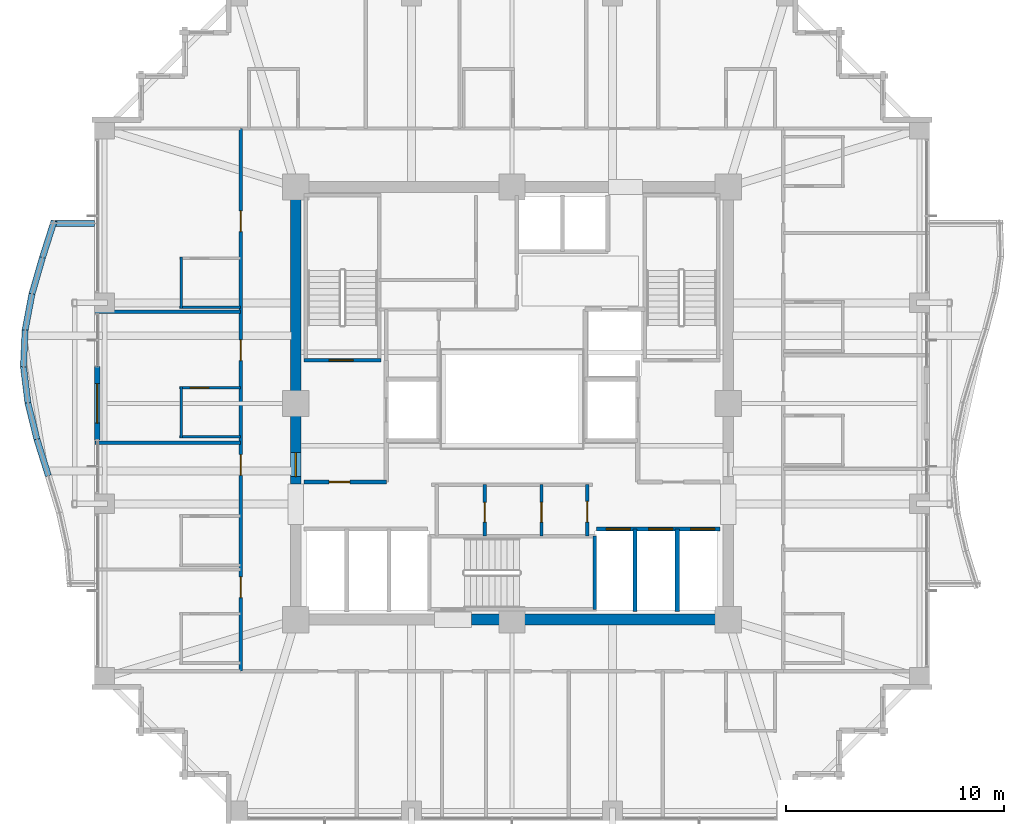
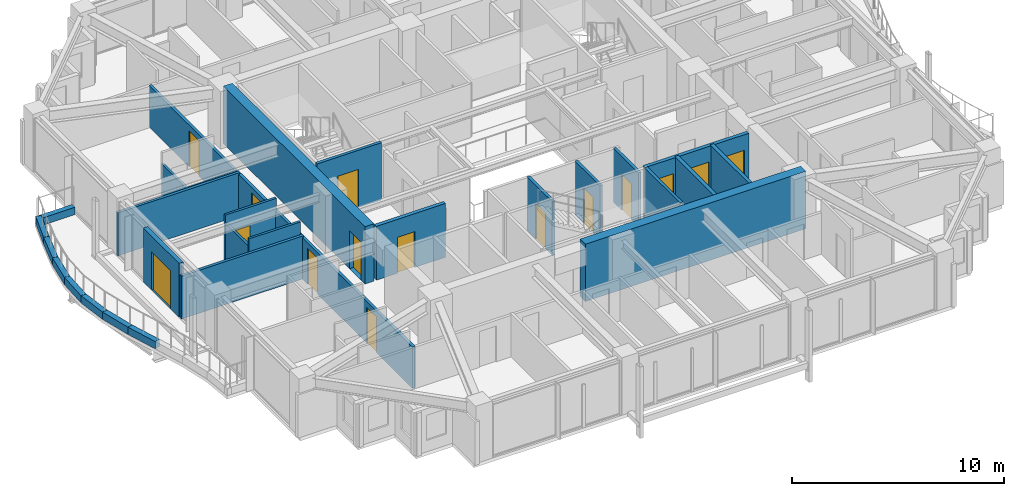
# One storey, part 31 of 37: 28 walls, 15 doors, 15 openings.
"""IFC4 building model written with IfcOpenShell, lengths in metres."""

from ifc_helpers import new_model, si_unit, direction, frame, frame_2d, origin, place, context, subcontext, project, spatial, rectangle, extrude, material, layer, layer_set, type_object, element, fill, save


model = new_model("IFC4")

# Units and contexts
model_context = context("Model", 3, precision=1e-05, world=origin(), true_north=direction((0.0, 1.0)))
body_context = subcontext(model_context, "Body", "Model", "MODEL_VIEW")
ifc_project = project(units=[si_unit("LENGTHUNIT", "METRE"), si_unit("AREAUNIT", "SQUARE_METRE"), si_unit("VOLUMEUNIT", "CUBIC_METRE"), si_unit("PLANEANGLEUNIT", "RADIAN"), si_unit("MASSUNIT", "GRAM", prefix="KILO")], contexts=[model_context])

# Site, building, storey
site_placement = place(None, origin())
site = spatial("IfcSite", under=ifc_project, at=site_placement, CompositionType="ELEMENT")
building_placement = place(site_placement, origin())
building = spatial("IfcBuilding", under=site, at=building_placement, Name="Kolvaren Belvedere", CompositionType="ELEMENT")
storey_placement = place(building_placement, frame((0.0, 0.0, 156.89990234375)))
storey = spatial("IfcBuildingStorey", under=building, at=storey_placement, Name="L45", CompositionType="ELEMENT", Elevation=156.89990234375)

# Wall
ifc_material_1 = material(Name="Concrete C50/60", Category="concrete")
ifc_layer_1 = layer(ifc_material_1, 0.5)
ifc_layer_set_1 = layer_set([ifc_layer_1], Name="Concrete C50/60")
wall_type_1 = type_object("IfcWallType", Name="CW-CORE-500", PredefinedType="SHEAR", material=ifc_layer_set_1)
wall_1_placement = place(storey_placement, frame((10.14990234375, -9.89990234375, 0.0), z_axis=(0.0, 0.0, 1.0), x_axis=(-1.0, 0.0, 0.0)))
element("IfcWall", 1, at=wall_1_placement, inside=storey, type_object=wall_type_1, Name="L45 South Core Shear Wall 1", PredefinedType="SHEAR", context=body_context, shape_type="SweptSolid", body=[
    extrude(rectangle(XDim=12.010009765625, YDim=0.5, at=frame_2d((6.0048828125, 0.0))), origin(), (0.0, 0.0, 1.0), 3.300048828125),
])

# Wall, opening, door
wall_2_placement = place(storey_placement, frame((-9.89990234375, -3.699951171875, 0.0), z_axis=(0.0, 0.0, 1.0), x_axis=(0.0, 1.0, 0.0)))
wall_2 = element("IfcWall", 2, at=wall_2_placement, inside=storey, type_object=wall_type_1, Name="L45 West Core Shear Wall 2", PredefinedType="SHEAR", context=body_context, shape_type="SweptSolid", body=[
    extrude(rectangle(XDim=13.349853515625, YDim=0.5, at=frame_2d((6.6748046875, 0.0))), origin(), (0.0, 0.0, 1.0), 3.300048828125),
])
opening_1_placement = place(wall_2_placement, frame((0.35009765625, 0.0, 0.0)))
opening_1 = element("IfcOpeningElement", 3, at=opening_1_placement, cuts=wall_2, Name="Opening D-FD90", PredefinedType="OPENING", context=body_context, shape_type="SweptSolid", body=[
    extrude(rectangle(XDim=1.10009765625, YDim=2.199951171875, at=frame_2d((0.550048828125, 1.10009765625))), frame((0.0, 0.260009765625, 0.0), z_axis=(0.0, -1.0, 0.0), x_axis=(1.0, 0.0, 0.0)), (0.0, 0.0, 1.0), 0.52001953125),
])
ifc_material_2 = material(Name="Painted hollow stainless steel", Category="steel")
door_type_1 = type_object("IfcDoorType", Name="DR-FD90-1100", OperationType="NOTDEFINED", PredefinedType="DOOR", material=ifc_material_2)
door_1_placement = place(opening_1_placement, origin())
door_1 = element("IfcDoor", 4, at=door_1_placement, inside=storey, type_object=door_type_1, Name="L45 West Firefighting Lobby Fire Door", OperationType="SINGLE_SWING_LEFT", OverallHeight=2.199951171875, OverallWidth=1.10009765625, PredefinedType="DOOR", context=body_context, shape_type="SweptSolid", body=[
    extrude(rectangle(XDim=1.10009765625, YDim=2.199951171875, at=frame_2d((0.550048828125, 1.10009765625))), frame((0.0, 0.02490234375, 0.0), z_axis=(0.0, -1.0, 0.0), x_axis=(1.0, 0.0, 0.0)), (0.0, 0.0, 1.0), 0.050048828125),
])
fill(opening_1, door_1)

ifc_material_3 = material(Name="Concrete C50/60", Category="concrete")
ifc_layer_2 = layer(ifc_material_3, 0.159912109375)
ifc_layer_set_2 = layer_set([ifc_layer_2], Name="Concrete C50/60")
wall_type_2 = type_object("IfcWallType", Name="CW-STAIR-160", PredefinedType="SHEAR", material=ifc_layer_set_2)
wall_3_placement = place(storey_placement, frame((-9.52001953125, 1.969970703125, 0.0), z_axis=(0.0, 0.0, 1.0), x_axis=(1.0, 0.0, 0.0)))
wall_3 = element("IfcWall", 5, at=wall_3_placement, inside=storey, type_object=wall_type_2, Name="L45 Stair ST-1 South Shear Wall", PredefinedType="SHEAR", context=body_context, shape_type="SweptSolid", body=[
    extrude(rectangle(XDim=3.52001953125, YDim=0.159912109375, at=frame_2d((1.760009765625, 0.0))), origin(), (0.0, 0.0, 1.0), 3.300048828125),
])
opening_2_placement = place(wall_3_placement, frame((1.14990234375, 0.0, 0.0)))
opening_2 = element("IfcOpeningElement", 6, at=opening_2_placement, cuts=wall_3, Name="Opening D-FD90", PredefinedType="OPENING", context=body_context, shape_type="SweptSolid", body=[
    extrude(rectangle(XDim=1.10009765625, YDim=2.199951171875, at=frame_2d((0.550048828125, 1.10009765625))), frame((0.0, 0.08984375, 0.0), z_axis=(0.0, -1.0, 0.0), x_axis=(1.0, 0.0, 0.0)), (0.0, 0.0, 1.0), 0.179931640625),
])
door_2_placement = place(opening_2_placement, origin())
door_2 = element("IfcDoor", 7, at=door_2_placement, inside=storey, type_object=door_type_1, Name="L45 Stair ST-1 Fire Door", OperationType="SINGLE_SWING_LEFT", OverallHeight=2.199951171875, OverallWidth=1.10009765625, PredefinedType="DOOR", context=body_context, shape_type="SweptSolid", body=[
    extrude(rectangle(XDim=1.10009765625, YDim=2.199951171875, at=frame_2d((0.550048828125, 1.10009765625))), frame((0.0, 0.02490234375, 0.0), z_axis=(0.0, -1.0, 0.0), x_axis=(1.0, 0.0, 0.0)), (0.0, 0.0, 1.0), 0.050048828125),
])
fill(opening_2, door_2)

# Wall
wall_4_placement = place(storey_placement, frame((3.780029296875, -9.429931640625, 0.0), z_axis=(0.0, 0.0, 1.0), x_axis=(0.0, 1.0, 0.0)))
element("IfcWall", 8, at=wall_4_placement, inside=storey, type_object=wall_type_2, Name="L45 Stair ST-3 East Shear Wall", PredefinedType="SHEAR", context=body_context, shape_type="SweptSolid", body=[
    extrude(rectangle(XDim=3.349853515625, YDim=0.159912109375, at=frame_2d((1.6748046875, 0.0))), origin(), (0.0, 0.0, 1.0), 3.300048828125),
])

# Wall, openings, doors
ifc_material_4 = material(Name="Gypsum fire-rated partition assembly", Category="gypsum")
ifc_layer_3 = layer(ifc_material_4, 0.14990234375)
ifc_layer_set_3 = layer_set([ifc_layer_3], Name="Gypsum fire-rated partition assembly")
wall_type_3 = type_object("IfcWallType", Name="WL-CORR-150", PredefinedType="PARTITIONING", material=ifc_layer_set_3)
wall_5_placement = place(storey_placement, frame((-12.419921875, -12.260009765625, 0.0), z_axis=(0.0, 0.0, 1.0), x_axis=(0.0, 1.0, 0.0)))
wall_5 = element("IfcWall", 9, at=wall_5_placement, inside=storey, type_object=wall_type_3, Name="L45 West Corridor Wall", PredefinedType="PARTITIONING", context=body_context, shape_type="SweptSolid", body=[
    extrude(rectangle(XDim=24.840087890625, YDim=0.14990234375, at=frame_2d((12.419921875, 0.0))), origin(), (0.0, 0.0, 1.0), 2.38916015625),
])
opening_3_placement = place(wall_5_placement, frame((3.37255859375, 0.0, 0.0)))
opening_3 = element("IfcOpeningElement", 10, at=opening_3_placement, cuts=wall_5, Name="Opening D-FD60", PredefinedType="OPENING", context=body_context, shape_type="SweptSolid", body=[
    extrude(rectangle(XDim=0.949951171875, YDim=2.06005859375, at=frame_2d((0.47509765625, 1.030029296875))), frame((0.0, 0.0849609375, 0.0), z_axis=(0.0, -1.0, 0.0), x_axis=(1.0, 0.0, 0.0)), (0.0, 0.0, 1.0), 0.169921875),
])
opening_4_placement = place(wall_5_placement, frame((8.95947265625, 0.0, 0.0)))
opening_4 = element("IfcOpeningElement", 11, at=opening_4_placement, cuts=wall_5, Name="Opening D-FD60", PredefinedType="OPENING", context=body_context, shape_type="SweptSolid", body=[
    extrude(rectangle(XDim=0.949951171875, YDim=2.06005859375, at=frame_2d((0.47509765625, 1.030029296875))), frame((0.0, 0.0849609375, 0.0), z_axis=(0.0, -1.0, 0.0), x_axis=(1.0, 0.0, 0.0)), (0.0, 0.0, 1.0), 0.169921875),
])
opening_5_placement = place(wall_5_placement, frame((14.219482421875, 0.0, 0.0)))
opening_5 = element("IfcOpeningElement", 12, at=opening_5_placement, cuts=wall_5, Name="Opening D-FD60", PredefinedType="OPENING", context=body_context, shape_type="SweptSolid", body=[
    extrude(rectangle(XDim=0.949951171875, YDim=2.06005859375, at=frame_2d((0.47509765625, 1.030029296875))), frame((0.0, 0.0849609375, 0.0), z_axis=(0.0, -1.0, 0.0), x_axis=(1.0, 0.0, 0.0)), (0.0, 0.0, 1.0), 0.169921875),
])
opening_6_placement = place(wall_5_placement, frame((20.117431640625, 0.0, 0.0)))
opening_6 = element("IfcOpeningElement", 13, at=opening_6_placement, cuts=wall_5, Name="Opening D-FD60", PredefinedType="OPENING", context=body_context, shape_type="SweptSolid", body=[
    extrude(rectangle(XDim=0.949951171875, YDim=2.06005859375, at=frame_2d((0.47509765625, 1.030029296875))), frame((0.0, 0.0849609375, 0.0), z_axis=(0.0, -1.0, 0.0), x_axis=(1.0, 0.0, 0.0)), (0.0, 0.0, 1.0), 0.169921875),
])
ifc_material_5 = material(Name="Acoustic white-oak fire door leaf", Category="timber")
door_type_2 = type_object("IfcDoorType", Name="DR-FD60-950", OperationType="NOTDEFINED", PredefinedType="DOOR", material=ifc_material_5)
door_3_placement = place(opening_3_placement, origin())
door_3 = element("IfcDoor", 14, at=door_3_placement, inside=storey, type_object=door_type_2, Name="L45 King Guest Room 4510 Entry Door", OperationType="SINGLE_SWING_RIGHT", OverallHeight=2.06005859375, OverallWidth=0.949951171875, PredefinedType="DOOR", context=body_context, shape_type="SweptSolid", body=[
    extrude(rectangle(XDim=0.949951171875, YDim=2.06005859375, at=frame_2d((0.47509765625, 1.030029296875))), frame((0.0, 0.02490234375, 0.0), z_axis=(0.0, -1.0, 0.0), x_axis=(1.0, 0.0, 0.0)), (0.0, 0.0, 1.0), 0.050048828125),
])
fill(opening_3, door_3)
door_4_placement = place(opening_4_placement, origin())
door_4 = element("IfcDoor", 15, at=door_4_placement, inside=storey, type_object=door_type_2, Name="L45 King Guest Room 4511 Entry Door", OperationType="SINGLE_SWING_RIGHT", OverallHeight=2.06005859375, OverallWidth=0.949951171875, PredefinedType="DOOR", context=body_context, shape_type="SweptSolid", body=[
    extrude(rectangle(XDim=0.949951171875, YDim=2.06005859375, at=frame_2d((0.47509765625, 1.030029296875))), frame((0.0, 0.02490234375, 0.0), z_axis=(0.0, -1.0, 0.0), x_axis=(1.0, 0.0, 0.0)), (0.0, 0.0, 1.0), 0.050048828125),
])
fill(opening_4, door_4)
door_5_placement = place(opening_5_placement, origin())
door_5 = element("IfcDoor", 16, at=door_5_placement, inside=storey, type_object=door_type_2, Name="L45 Botanical Hospitality Suite 4512 Entry Door", OperationType="SINGLE_SWING_RIGHT", OverallHeight=2.06005859375, OverallWidth=0.949951171875, PredefinedType="DOOR", context=body_context, shape_type="SweptSolid", body=[
    extrude(rectangle(XDim=0.949951171875, YDim=2.06005859375, at=frame_2d((0.47509765625, 1.030029296875))), frame((0.0, 0.02490234375, 0.0), z_axis=(0.0, -1.0, 0.0), x_axis=(1.0, 0.0, 0.0)), (0.0, 0.0, 1.0), 0.050048828125),
])
fill(opening_5, door_5)
door_6_placement = place(opening_6_placement, origin())
door_6 = element("IfcDoor", 17, at=door_6_placement, inside=storey, type_object=door_type_2, Name="L45 King Guest Room 4513 Entry Door", OperationType="SINGLE_SWING_RIGHT", OverallHeight=2.06005859375, OverallWidth=0.949951171875, PredefinedType="DOOR", context=body_context, shape_type="SweptSolid", body=[
    extrude(rectangle(XDim=0.949951171875, YDim=2.06005859375, at=frame_2d((0.47509765625, 1.030029296875))), frame((0.0, 0.02490234375, 0.0), z_axis=(0.0, -1.0, 0.0), x_axis=(1.0, 0.0, 0.0)), (0.0, 0.0, 1.0), 0.050048828125),
])
fill(opening_6, door_6)

# Wall, opening, door
ifc_material_6 = material(Name="Insulated pale-metal facade wall assembly", Category="aluminium")
ifc_layer_4 = layer(ifc_material_6, 0.239990234375)
ifc_layer_set_4 = layer_set([ifc_layer_4], Name="Insulated pale-metal facade wall assembly")
wall_type_4 = type_object("IfcWallType", Name="WL-EXT-240", PredefinedType="STANDARD", material=ifc_layer_set_4)
wall_6_placement = place(storey_placement, frame((-18.97998046875, -1.679931640625, 0.0), z_axis=(0.0, 0.0, 1.0), x_axis=(0.0, 1.0, 0.0)))
wall_6 = element("IfcWall", 18, at=wall_6_placement, inside=storey, type_object=wall_type_4, Name="L45 West Terrace Portal Wall", PredefinedType="STANDARD", context=body_context, shape_type="SweptSolid", body=[
    extrude(rectangle(XDim=3.35986328125, YDim=0.239990234375, at=frame_2d((1.679931640625, 0.0))), origin(), (0.0, 0.0, 1.0), 3.10009765625),
])
opening_7_placement = place(wall_6_placement, frame((0.780029296875, 0.0, 0.0)))
opening_7 = element("IfcOpeningElement", 19, at=opening_7_placement, cuts=wall_6, Name="Opening DB-1800", PredefinedType="OPENING", context=body_context, shape_type="SweptSolid", body=[
    extrude(rectangle(XDim=1.800048828125, YDim=2.199951171875, at=frame_2d((0.89990234375, 1.10009765625))), frame((0.0, 0.1298828125, 0.0), z_axis=(0.0, -1.0, 0.0), x_axis=(1.0, 0.0, 0.0)), (0.0, 0.0, 1.0), 0.260009765625),
])
ifc_material_7 = material(Name="Thermally broken pale-metal aluminium & low-iron glass", Category="aluminium")
door_type_3 = type_object("IfcDoorType", Name="DR-BAL-1800", OperationType="DOUBLE_DOOR_SLIDING", PredefinedType="DOOR", material=ifc_material_7)
door_7_placement = place(opening_7_placement, origin())
door_7 = element("IfcDoor", 20, at=door_7_placement, inside=storey, type_object=door_type_3, Name="L45 West Planted Terrace Sliding Door", OperationType="DOUBLE_DOOR_SLIDING", OverallHeight=2.199951171875, OverallWidth=1.800048828125, PredefinedType="DOOR", context=body_context, shape_type="SweptSolid", body=[
    extrude(rectangle(XDim=1.800048828125, YDim=2.199951171875, at=frame_2d((0.89990234375, 1.10009765625))), frame((0.0, 0.02490234375, 0.0), z_axis=(0.0, -1.0, 0.0), x_axis=(1.0, 0.0, 0.0)), (0.0, 0.0, 1.0), 0.050048828125),
])
fill(opening_7, door_7)

ifc_material_8 = material(Name="Gypsum acoustic partition assembly", Category="gypsum")
ifc_layer_5 = layer(ifc_material_8, 0.14990234375)
ifc_layer_set_5 = layer_set([ifc_layer_5], Name="Gypsum acoustic partition assembly")
wall_type_5 = type_object("IfcWallType", Name="WL-PART-150", PredefinedType="PARTITIONING", material=ifc_layer_set_5)
wall_7_placement = place(storey_placement, frame((3.449951171875, -6.080078125, 0.0), z_axis=(0.0, 0.0, 1.0), x_axis=(0.0, 1.0, 0.0)))
wall_7 = element("IfcWall", 21, at=wall_7_placement, inside=storey, type_object=wall_type_5, Name="L45 South Core Service East Wall", PredefinedType="PARTITIONING", context=body_context, shape_type="SweptSolid", body=[
    extrude(rectangle(XDim=2.360107421875, YDim=0.14990234375, at=frame_2d((1.18017578125, 0.0))), origin(), (0.0, 0.0, 1.0), 3.10009765625),
])
opening_8_placement = place(wall_7_placement, frame((0.64990234375, 0.0, 0.0)))
opening_8 = element("IfcOpeningElement", 22, at=opening_8_placement, cuts=wall_7, Name="Opening D-FD60", PredefinedType="OPENING", context=body_context, shape_type="SweptSolid", body=[
    extrude(rectangle(XDim=0.949951171875, YDim=2.06005859375, at=frame_2d((0.47509765625, 1.030029296875))), frame((0.0, 0.0849609375, 0.0), z_axis=(0.0, -1.0, 0.0), x_axis=(1.0, 0.0, 0.0)), (0.0, 0.0, 1.0), 0.169921875),
])
door_8_placement = place(opening_8_placement, origin())
door_8 = element("IfcDoor", 23, at=door_8_placement, inside=storey, type_object=door_type_2, Name="L45 Core Service Room Door", OperationType="SINGLE_SWING_LEFT", OverallHeight=2.06005859375, OverallWidth=0.949951171875, PredefinedType="DOOR", context=body_context, shape_type="SweptSolid", body=[
    extrude(rectangle(XDim=0.949951171875, YDim=2.06005859375, at=frame_2d((0.47509765625, 1.030029296875))), frame((0.0, 0.02490234375, 0.0), z_axis=(0.0, -1.0, 0.0), x_axis=(1.0, 0.0, 0.0)), (0.0, 0.0, 1.0), 0.050048828125),
])
fill(opening_8, door_8)

wall_8_placement = place(storey_placement, frame((1.35009765625, -6.080078125, 0.0), z_axis=(0.0, 0.0, 1.0), x_axis=(0.0, 1.0, 0.0)))
wall_8 = element("IfcWall", 24, at=wall_8_placement, inside=storey, type_object=wall_type_5, Name="L45 Core Service Divider 1", PredefinedType="PARTITIONING", context=body_context, shape_type="SweptSolid", body=[
    extrude(rectangle(XDim=2.360107421875, YDim=0.14990234375, at=frame_2d((1.18017578125, 0.0))), origin(), (0.0, 0.0, 1.0), 3.10009765625),
])
opening_9_placement = place(wall_8_placement, frame((0.64990234375, 0.0, 0.0)))
opening_9 = element("IfcOpeningElement", 25, at=opening_9_placement, cuts=wall_8, Name="Opening D-INT90", PredefinedType="OPENING", context=body_context, shape_type="SweptSolid", body=[
    extrude(rectangle(XDim=0.89990234375, YDim=2.06005859375, at=frame_2d((0.449951171875, 1.030029296875))), frame((0.0, 0.0849609375, 0.0), z_axis=(0.0, -1.0, 0.0), x_axis=(1.0, 0.0, 0.0)), (0.0, 0.0, 1.0), 0.169921875),
])
ifc_material_9 = material(Name="Stained Pacific white oak", Category="timber")
door_type_4 = type_object("IfcDoorType", Name="DR-INT-900", OperationType="NOTDEFINED", PredefinedType="DOOR", material=ifc_material_9)
door_9_placement = place(opening_9_placement, origin())
door_9 = element("IfcDoor", 26, at=door_9_placement, inside=storey, type_object=door_type_4, Name="L45 Data Closet Door", OperationType="SINGLE_SWING_RIGHT", OverallHeight=2.06005859375, OverallWidth=0.89990234375, PredefinedType="DOOR", context=body_context, shape_type="SweptSolid", body=[
    extrude(rectangle(XDim=0.89990234375, YDim=2.06005859375, at=frame_2d((0.449951171875, 1.030029296875))), frame((0.0, 0.02490234375, 0.0), z_axis=(0.0, -1.0, 0.0), x_axis=(1.0, 0.0, 0.0)), (0.0, 0.0, 1.0), 0.050048828125),
])
fill(opening_9, door_9)

wall_9_placement = place(storey_placement, frame((-1.25, -6.080078125, 0.0), z_axis=(0.0, 0.0, 1.0), x_axis=(0.0, 1.0, 0.0)))
wall_9 = element("IfcWall", 27, at=wall_9_placement, inside=storey, type_object=wall_type_5, Name="L45 Core Service Divider 2", PredefinedType="PARTITIONING", context=body_context, shape_type="SweptSolid", body=[
    extrude(rectangle(XDim=2.360107421875, YDim=0.14990234375, at=frame_2d((1.18017578125, 0.0))), origin(), (0.0, 0.0, 1.0), 3.10009765625),
])
opening_10_placement = place(wall_9_placement, frame((0.64990234375, 0.0, 0.0)))
opening_10 = element("IfcOpeningElement", 28, at=opening_10_placement, cuts=wall_9, Name="Opening D-INT90", PredefinedType="OPENING", context=body_context, shape_type="SweptSolid", body=[
    extrude(rectangle(XDim=0.89990234375, YDim=2.06005859375, at=frame_2d((0.449951171875, 1.030029296875))), frame((0.0, 0.0849609375, 0.0), z_axis=(0.0, -1.0, 0.0), x_axis=(1.0, 0.0, 0.0)), (0.0, 0.0, 1.0), 0.169921875),
])
door_10_placement = place(opening_10_placement, origin())
door_10 = element("IfcDoor", 29, at=door_10_placement, inside=storey, type_object=door_type_4, Name="L45 Janitor Room Door", OperationType="SINGLE_SWING_LEFT", OverallHeight=2.06005859375, OverallWidth=0.89990234375, PredefinedType="DOOR", context=body_context, shape_type="SweptSolid", body=[
    extrude(rectangle(XDim=0.89990234375, YDim=2.06005859375, at=frame_2d((0.449951171875, 1.030029296875))), frame((0.0, 0.02490234375, 0.0), z_axis=(0.0, -1.0, 0.0), x_axis=(1.0, 0.0, 0.0)), (0.0, 0.0, 1.0), 0.050048828125),
])
fill(opening_10, door_10)

# Walls
for number, where, z_axis, x_axis, name in (
    (30, (-19.080078125, -1.800048828125, 0.0), (0.0, 0.0, 1.0), (1.0, 0.0, 0.0), "L45 West Suite Demising Wall 2"),
    (31, (-19.080078125, 4.199951171875, 0.0), (0.0, 0.0, 1.0), (1.0, 0.0, 0.0), "L45 West Suite Demising Wall 3"),
):
    element("IfcWall", number, at=place(storey_placement, frame(where, z_axis=z_axis, x_axis=x_axis)), inside=storey, type_object=wall_type_5, Name=name, PredefinedType="PARTITIONING", context=body_context, shape_type="SweptSolid", body=[
        extrude(rectangle(XDim=6.66015625, YDim=0.14990234375, at=frame_2d((3.330078125, 0.0))), origin(), (0.0, 0.0, 1.0), 2.47314453125),
    ])
ifc_material_10 = material(Name="Precast concrete C40/50", Category="concrete")
ifc_layer_6 = layer(ifc_material_10, 0.300048828125)
ifc_layer_set_6 = layer_set([ifc_layer_6], Name="Precast concrete C40/50")
wall_type_6 = type_object("IfcWallType", Name="WL-PLANTER-300", PredefinedType="PARAPET", material=ifc_layer_set_6)
wall_10_placement = place(storey_placement, frame((-20.953857421875, 8.351318359375, -0.02001953125), z_axis=(0.0, 0.0, 1.0), x_axis=(-0.304032153573, -0.952661770826, 0.0)))
element("IfcWall", 32, at=wall_10_placement, inside=storey, type_object=wall_type_6, Name="L45 Precast Structural Planter Wall BAL-W-1", PredefinedType="PARAPET", context=body_context, shape_type="SweptSolid", body=[
    extrude(rectangle(XDim=1.763427734375, YDim=0.280029296875, at=frame_2d((0.8818359375, 0.0))), origin(), (0.0, 0.0, 1.0), 0.420166015625),
])
wall_11_placement = place(storey_placement, frame((-21.48876953125, 6.675537109375, -0.02001953125), z_axis=(0.0, 0.0, 1.0), x_axis=(-0.277817391164, -0.960633903819, 0.0)))
element("IfcWall", 33, at=wall_11_placement, inside=storey, type_object=wall_type_6, Name="L45 Precast Structural Planter Wall BAL-W-2", PredefinedType="PARAPET", context=body_context, shape_type="SweptSolid", body=[
    extrude(rectangle(XDim=1.748779296875, YDim=0.280029296875, at=frame_2d((0.87451171875, 0.0))), origin(), (0.0, 0.0, 1.0), 0.420166015625),
])
wall_12_placement = place(storey_placement, frame((-21.97119140625, 5.010498046875, -0.02001953125), z_axis=(0.0, 0.0, 1.0), x_axis=(-0.184788595231, -0.982778293957, 0.0)))
element("IfcWall", 34, at=wall_12_placement, inside=storey, type_object=wall_type_6, Name="L45 Precast Structural Planter Wall BAL-W-3", PredefinedType="PARAPET", context=body_context, shape_type="SweptSolid", body=[
    extrude(rectangle(XDim=1.709716796875, YDim=0.280029296875, at=frame_2d((0.85498046875, 0.0))), origin(), (0.0, 0.0, 1.0), 0.420166015625),
])
wall_13_placement = place(storey_placement, frame((-22.284423828125, 3.352783203125, -0.02001953125), z_axis=(0.0, 0.0, 1.0), x_axis=(-0.045005941428, -0.998986719249, 0.0)))
element("IfcWall", 35, at=wall_13_placement, inside=storey, type_object=wall_type_6, Name="L45 Precast Structural Planter Wall BAL-W-4", PredefinedType="PARAPET", context=body_context, shape_type="SweptSolid", body=[
    extrude(rectangle(XDim=1.681640625, YDim=0.280029296875, at=frame_2d((0.8408203125, 0.0))), origin(), (0.0, 0.0, 1.0), 0.420166015625),
])
wall_14_placement = place(storey_placement, frame((-22.361083984375, 1.699462890625, -0.02001953125), z_axis=(0.0, 0.0, 1.0), x_axis=(0.121886315522, -0.99254406758, 0.0)))
element("IfcWall", 36, at=wall_14_placement, inside=storey, type_object=wall_type_6, Name="L45 Precast Structural Planter Wall BAL-W-5", PredefinedType="PARAPET", context=body_context, shape_type="SweptSolid", body=[
    extrude(rectangle(XDim=1.692626953125, YDim=0.280029296875, at=frame_2d((0.84619140625, 0.0))), origin(), (0.0, 0.0, 1.0), 0.420166015625),
])
wall_15_placement = place(storey_placement, frame((-22.158203125, 0.038330078125, -0.02001953125), z_axis=(0.0, 0.0, 1.0), x_axis=(0.239180748277, -0.970975061293, 0.0)))
element("IfcWall", 37, at=wall_15_placement, inside=storey, type_object=wall_type_6, Name="L45 Precast Structural Planter Wall BAL-W-6", PredefinedType="PARAPET", context=body_context, shape_type="SweptSolid", body=[
    extrude(rectangle(XDim=1.730224609375, YDim=0.280029296875, at=frame_2d((0.865234375, 0.0))), origin(), (0.0, 0.0, 1.0), 0.420166015625),
])
wall_16_placement = place(storey_placement, frame((-21.747314453125, -1.632080078125, -0.02001953125), z_axis=(0.0, 0.0, 1.0), x_axis=(0.299750886874, -0.95401750813, 0.0)))
element("IfcWall", 38, at=wall_16_placement, inside=storey, type_object=wall_type_6, Name="L45 Precast Structural Planter Wall BAL-W-7", PredefinedType="PARAPET", context=body_context, shape_type="SweptSolid", body=[
    extrude(rectangle(XDim=1.760986328125, YDim=0.280029296875, at=frame_2d((0.88037109375, 0.0))), origin(), (0.0, 0.0, 1.0), 0.420166015625),
])
wall_17_placement = place(storey_placement, frame((-19.10009765625, 8.239990234375, -0.02001953125), z_axis=(0.0, 0.0, 1.0), x_axis=(-1.0, 0.0, 0.0)))
element("IfcWall", 39, at=wall_17_placement, inside=storey, type_object=wall_type_6, Name="L45 Precast Structural Planter Wall BAL-W-22", PredefinedType="PARAPET", context=body_context, shape_type="SweptSolid", body=[
    extrude(rectangle(XDim=2.006103515625, YDim=0.280029296875, at=frame_2d((1.0029296875, 0.0))), origin(), (0.0, 0.0, 1.0), 0.420166015625),
])

# Wall, opening, door
ifc_material_11 = material(Name="Concrete C50/60", Category="concrete")
ifc_layer_7 = layer(ifc_material_11, 0.199951171875)
ifc_layer_set_7 = layer_set([ifc_layer_7], Name="Concrete C50/60")
wall_type_7 = type_object("IfcWallType", Name="WL-SHAFT-200", PredefinedType="SOLIDWALL", material=ifc_layer_set_7)
wall_18_placement = place(storey_placement, frame((-9.52001953125, -3.60009765625, 0.0), z_axis=(0.0, 0.0, 1.0), x_axis=(1.0, 0.0, 0.0)))
wall_18 = element("IfcWall", 40, at=wall_18_placement, inside=storey, type_object=wall_type_7, Name="L45 West FSAE Lobby South Wall", PredefinedType="SOLIDWALL", context=body_context, shape_type="SweptSolid", body=[
    extrude(rectangle(XDim=3.77001953125, YDim=0.199951171875, at=frame_2d((1.885009765625, 0.0))), origin(), (0.0, 0.0, 1.0), 3.10009765625),
])
opening_11_placement = place(wall_18_placement, frame((1.14990234375, 0.0, 0.0)))
opening_11 = element("IfcOpeningElement", 41, at=opening_11_placement, cuts=wall_18, Name="Opening D-FD60", PredefinedType="OPENING", context=body_context, shape_type="SweptSolid", body=[
    extrude(rectangle(XDim=0.949951171875, YDim=2.06005859375, at=frame_2d((0.47509765625, 1.030029296875))), frame((0.0, 0.10986328125, 0.0), z_axis=(0.0, -1.0, 0.0), x_axis=(1.0, 0.0, 0.0)), (0.0, 0.0, 1.0), 0.219970703125),
])
door_11_placement = place(opening_11_placement, origin())
door_11 = element("IfcDoor", 42, at=door_11_placement, inside=storey, type_object=door_type_2, Name="L45 Mid-Rise Lift Lobby Fire Door", OperationType="SINGLE_SWING_LEFT", OverallHeight=2.06005859375, OverallWidth=0.949951171875, PredefinedType="DOOR", context=body_context, shape_type="SweptSolid", body=[
    extrude(rectangle(XDim=0.949951171875, YDim=2.06005859375, at=frame_2d((0.47509765625, 1.030029296875))), frame((0.0, 0.02490234375, 0.0), z_axis=(0.0, -1.0, 0.0), x_axis=(1.0, 0.0, 0.0)), (0.0, 0.0, 1.0), 0.050048828125),
])
fill(opening_11, door_11)

# Wall, openings, doors
wall_19_placement = place(storey_placement, frame((3.860107421875, -5.75, 0.0), z_axis=(0.0, 0.0, 1.0), x_axis=(1.0, 0.0, 0.0)))
wall_19 = element("IfcWall", 43, at=wall_19_placement, inside=storey, type_object=wall_type_7, Name="L45 High-Rise Lift Bank Front Wall", PredefinedType="SOLIDWALL", context=body_context, shape_type="SweptSolid", body=[
    extrude(rectangle(XDim=5.659912109375, YDim=0.199951171875, at=frame_2d((2.830078125, 0.0))), origin(), (0.0, 0.0, 1.0), 3.10009765625),
])
opening_12_placement = place(wall_19_placement, frame((0.4599609375, 0.0, 0.0)))
opening_12 = element("IfcOpeningElement", 44, at=opening_12_placement, cuts=wall_19, Name="Opening LD-11", PredefinedType="OPENING", context=body_context, shape_type="SweptSolid", body=[
    extrude(rectangle(XDim=1.10009765625, YDim=2.199951171875, at=frame_2d((0.550048828125, 1.10009765625))), frame((0.0, 0.10986328125, 0.0), z_axis=(0.0, -1.0, 0.0), x_axis=(1.0, 0.0, 0.0)), (0.0, 0.0, 1.0), 0.219970703125),
])
opening_13_placement = place(wall_19_placement, frame((2.389892578125, 0.0, 0.0)))
opening_13 = element("IfcOpeningElement", 45, at=opening_13_placement, cuts=wall_19, Name="Opening LD-11", PredefinedType="OPENING", context=body_context, shape_type="SweptSolid", body=[
    extrude(rectangle(XDim=1.10009765625, YDim=2.199951171875, at=frame_2d((0.550048828125, 1.10009765625))), frame((0.0, 0.10986328125, 0.0), z_axis=(0.0, -1.0, 0.0), x_axis=(1.0, 0.0, 0.0)), (0.0, 0.0, 1.0), 0.219970703125),
])
opening_14_placement = place(wall_19_placement, frame((4.320068359375, 0.0, 0.0)))
opening_14 = element("IfcOpeningElement", 46, at=opening_14_placement, cuts=wall_19, Name="Opening LD-11", PredefinedType="OPENING", context=body_context, shape_type="SweptSolid", body=[
    extrude(rectangle(XDim=1.10009765625, YDim=2.199951171875, at=frame_2d((0.550048828125, 1.10009765625))), frame((0.0, 0.10986328125, 0.0), z_axis=(0.0, -1.0, 0.0), x_axis=(1.0, 0.0, 0.0)), (0.0, 0.0, 1.0), 0.219970703125),
])
ifc_material_12 = material(Name="Brushed stainless steel", Category="steel")
door_type_5 = type_object("IfcDoorType", Name="DR-LIFT-1100", OperationType="DOUBLE_DOOR_SLIDING", PredefinedType="DOOR", material=ifc_material_12)
door_12_placement = place(opening_12_placement, origin())
door_12 = element("IfcDoor", 47, at=door_12_placement, inside=storey, type_object=door_type_5, Name="L45 Passenger Lift P7 Landing Door", OperationType="DOUBLE_DOOR_SLIDING", OverallHeight=2.199951171875, OverallWidth=1.10009765625, PredefinedType="DOOR", context=body_context, shape_type="SweptSolid", body=[
    extrude(rectangle(XDim=1.10009765625, YDim=2.199951171875, at=frame_2d((0.550048828125, 1.10009765625))), frame((0.0, 0.02490234375, 0.0), z_axis=(0.0, -1.0, 0.0), x_axis=(1.0, 0.0, 0.0)), (0.0, 0.0, 1.0), 0.050048828125),
])
fill(opening_12, door_12)
door_13_placement = place(opening_13_placement, origin())
door_13 = element("IfcDoor", 48, at=door_13_placement, inside=storey, type_object=door_type_5, Name="L45 Passenger Lift P8 Landing Door", OperationType="DOUBLE_DOOR_SLIDING", OverallHeight=2.199951171875, OverallWidth=1.10009765625, PredefinedType="DOOR", context=body_context, shape_type="SweptSolid", body=[
    extrude(rectangle(XDim=1.10009765625, YDim=2.199951171875, at=frame_2d((0.550048828125, 1.10009765625))), frame((0.0, 0.02490234375, 0.0), z_axis=(0.0, -1.0, 0.0), x_axis=(1.0, 0.0, 0.0)), (0.0, 0.0, 1.0), 0.050048828125),
])
fill(opening_13, door_13)
door_14_placement = place(opening_14_placement, origin())
door_14 = element("IfcDoor", 49, at=door_14_placement, inside=storey, type_object=door_type_5, Name="L45 Passenger Lift P9 Landing Door", OperationType="DOUBLE_DOOR_SLIDING", OverallHeight=2.199951171875, OverallWidth=1.10009765625, PredefinedType="DOOR", context=body_context, shape_type="SweptSolid", body=[
    extrude(rectangle(XDim=1.10009765625, YDim=2.199951171875, at=frame_2d((0.550048828125, 1.10009765625))), frame((0.0, 0.02490234375, 0.0), z_axis=(0.0, -1.0, 0.0), x_axis=(1.0, 0.0, 0.0)), (0.0, 0.0, 1.0), 0.050048828125),
])
fill(opening_14, door_14)

# Walls
for number, where, z_axis, x_axis, name in (
    (50, (5.6298828125, -9.52001953125, 0.0), (0.0, 0.0, 1.0), (0.0, 1.0, 0.0), "L45 High-Rise Hoistway Divider 1"),
    (51, (7.56005859375, -9.52001953125, 0.0), (0.0, 0.0, 1.0), (0.0, 1.0, 0.0), "L45 High-Rise Hoistway Divider 2"),
):
    element("IfcWall", number, at=place(storey_placement, frame(where, z_axis=z_axis, x_axis=x_axis)), inside=storey, type_object=wall_type_7, Name=name, PredefinedType="SOLIDWALL", context=body_context, shape_type="SweptSolid", body=[
        extrude(rectangle(XDim=3.77001953125, YDim=0.199951171875, at=frame_2d((1.885009765625, 0.0))), origin(), (0.0, 0.0, 1.0), 3.10009765625),
    ])

# Wall, opening, door
ifc_material_13 = material(Name="Moisture-resistant gypsum partition", Category="gypsum")
ifc_layer_8 = layer(ifc_material_13, 0.125)
ifc_layer_set_8 = layer_set([ifc_layer_8], Name="Moisture-resistant gypsum partition")
wall_type_8 = type_object("IfcWallType", Name="WL-WET-125", PredefinedType="PARTITIONING", material=ifc_layer_set_8)
wall_20_placement = place(storey_placement, frame((-15.22509765625, 0.718994140625, 0.0), z_axis=(0.0, 0.0, 1.0), x_axis=(1.0, 0.0, 0.0)))
wall_20 = element("IfcWall", 52, at=wall_20_placement, inside=storey, type_object=wall_type_8, Name="L45 Bathroom Partition PW-L45-BTH-12-N", PredefinedType="PARTITIONING", context=body_context, shape_type="SweptSolid", body=[
    extrude(rectangle(XDim=2.7900390625, YDim=0.125, at=frame_2d((1.39501953125, 0.0))), origin(), (0.0, 0.0, 1.0), 3.10009765625),
])
opening_15_placement = place(wall_20_placement, frame((0.5, 0.0, 0.0)))
opening_15 = element("IfcOpeningElement", 53, at=opening_15_placement, cuts=wall_20, Name="Opening D-BTH85", PredefinedType="OPENING", context=body_context, shape_type="SweptSolid", body=[
    extrude(rectangle(XDim=0.85009765625, YDim=2.030029296875, at=frame_2d((0.425048828125, 1.01513671875))), frame((0.0, 0.072509765625, 0.0), z_axis=(0.0, -1.0, 0.0), x_axis=(1.0, 0.0, 0.0)), (0.0, 0.0, 1.0), 0.14501953125),
])
ifc_material_14 = material(Name="Moisture-sealed Pacific white oak", Category="timber")
door_type_6 = type_object("IfcDoorType", Name="DR-BATH-850", OperationType="NOTDEFINED", PredefinedType="DOOR", material=ifc_material_14)
door_15_placement = place(opening_15_placement, origin())
door_15 = element("IfcDoor", 54, at=door_15_placement, inside=storey, type_object=door_type_6, Name="L45 En-Suite Bathroom 4512 Door", OperationType="SINGLE_SWING_LEFT", OverallHeight=2.030029296875, OverallWidth=0.85009765625, PredefinedType="DOOR", context=body_context, shape_type="SweptSolid", body=[
    extrude(rectangle(XDim=0.85009765625, YDim=2.030029296875, at=frame_2d((0.425048828125, 1.01513671875))), frame((0.0, 0.02490234375, 0.0), z_axis=(0.0, -1.0, 0.0), x_axis=(1.0, 0.0, 0.0)), (0.0, 0.0, 1.0), 0.050048828125),
])
fill(opening_15, door_15)

# Walls
wall_21_placement = place(storey_placement, frame((-15.14501953125, -1.591064453125, 0.0), z_axis=(0.0, 0.0, 1.0), x_axis=(0.0, 1.0, 0.0)))
element("IfcWall", 55, at=wall_21_placement, inside=storey, type_object=wall_type_8, Name="L45 Bathroom Partition PW-L45-BTH-12-V", PredefinedType="PARTITIONING", context=body_context, shape_type="SweptSolid", body=[
    extrude(rectangle(XDim=2.3701171875, YDim=0.125, at=frame_2d((1.18505859375, 0.0))), origin(), (0.0, 0.0, 1.0), 2.625),
])
wall_22_placement = place(storey_placement, frame((-15.22509765625, -1.531005859375, 0.0), z_axis=(0.0, 0.0, 1.0), x_axis=(1.0, 0.0, 0.0)))
element("IfcWall", 56, at=wall_22_placement, inside=storey, type_object=wall_type_8, Name="L45 Bathroom Partition PW-L45-BTH-12-S", PredefinedType="PARTITIONING", context=body_context, shape_type="SweptSolid", body=[
    extrude(rectangle(XDim=2.7900390625, YDim=0.125, at=frame_2d((1.39501953125, 0.0))), origin(), (0.0, 0.0, 1.0), 3.10009765625),
])
wall_23_placement = place(storey_placement, frame((-15.14501953125, 4.3349609375, 0.0), z_axis=(0.0, 0.0, 1.0), x_axis=(0.0, 1.0, 0.0)))
element("IfcWall", 57, at=wall_23_placement, inside=storey, type_object=wall_type_8, Name="L45 Bathroom Partition PW-L45-BTH-13-V", PredefinedType="PARTITIONING", context=body_context, shape_type="SweptSolid", body=[
    extrude(rectangle(XDim=2.3701171875, YDim=0.125, at=frame_2d((1.18505859375, 0.0))), origin(), (0.0, 0.0, 1.0), 2.38916015625),
])
wall_24_placement = place(storey_placement, frame((-15.22509765625, 4.39501953125, 0.0), z_axis=(0.0, 0.0, 1.0), x_axis=(1.0, 0.0, 0.0)))
element("IfcWall", 58, at=wall_24_placement, inside=storey, type_object=wall_type_8, Name="L45 Bathroom Partition PW-L45-BTH-13-S", PredefinedType="PARTITIONING", context=body_context, shape_type="SweptSolid", body=[
    extrude(rectangle(XDim=2.7900390625, YDim=0.125, at=frame_2d((1.39501953125, 0.0))), origin(), (0.0, 0.0, 1.0), 2.38916015625),
])

save(model, "model.ifc")
